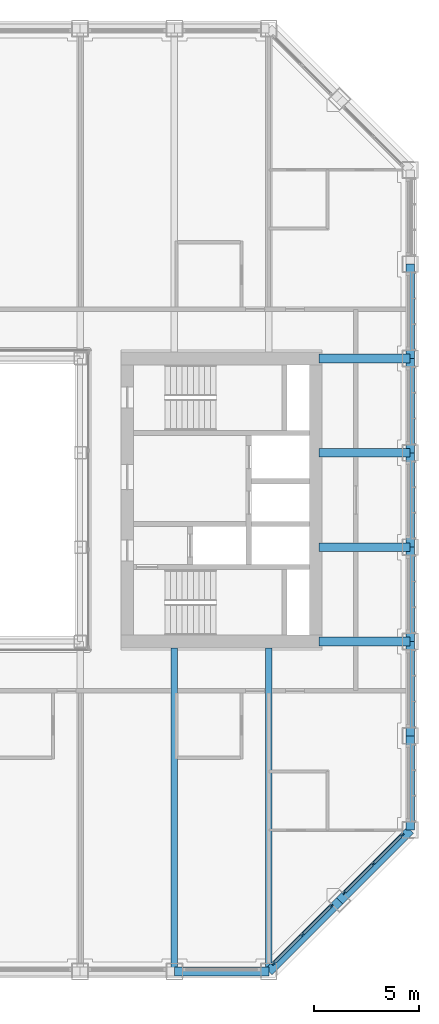
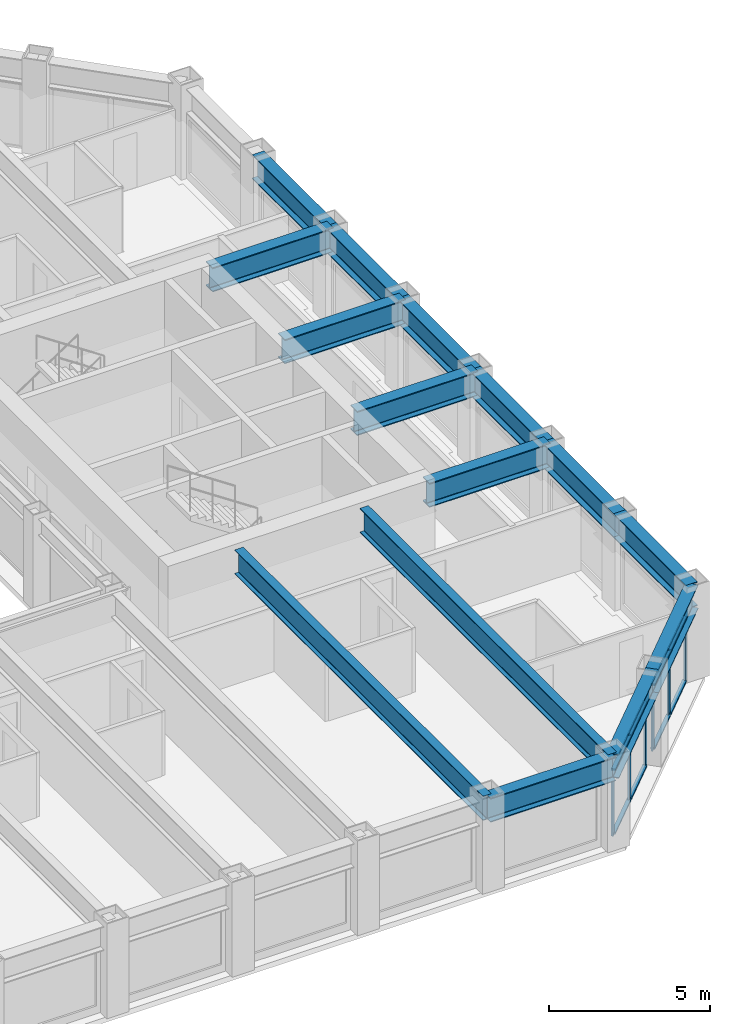
# One storey, part 6 of 17: 15 beams, 14 members, 2 elements without a shape of their own.
"""IFC4 building model written with IfcOpenShell, lengths in metres."""

from ifc_helpers import new_model, si_unit, direction, frame, origin, origin_2d, place, context, subcontext, project, spatial, rectangle, i_section, extrude, material, material_profile, profile_set, type_object, element, aggregate, save


model = new_model("IFC4")

# Units and contexts
model_context = context("Model", 3, precision=1e-05, world=origin(), true_north=direction((0.0, 1.0)))
body_context = subcontext(model_context, "Body", "Model", "MODEL_VIEW")
ifc_project = project(units=[si_unit("LENGTHUNIT", "METRE"), si_unit("AREAUNIT", "SQUARE_METRE"), si_unit("VOLUMEUNIT", "CUBIC_METRE"), si_unit("PLANEANGLEUNIT", "RADIAN"), si_unit("MASSUNIT", "GRAM", prefix="KILO")], contexts=[model_context])

# Site, building, storey
site_placement = place(None, origin())
site = spatial("IfcSite", under=ifc_project, at=site_placement, CompositionType="ELEMENT")
building_placement = place(site_placement, origin())
building = spatial("IfcBuilding", under=site, at=building_placement, Name="Msasa Ring Tower", CompositionType="ELEMENT")
storey_placement = place(building_placement, frame((0.0, 0.0, 168.800048828125)))
storey = spatial("IfcBuildingStorey", under=building, at=storey_placement, Name="L44", CompositionType="ELEMENT", Elevation=168.800048828125)

# Curtain wall, members
ifc_material_1 = material(Name="Aluminium curtain wall with clear glass", Category="aluminium")
curtain_wall_type = type_object("IfcCurtainWallType", Name="CW-C CHAMFER CORNER CURTAIN WALL", PredefinedType="NOTDEFINED", material=ifc_material_1)
curtain_wall_1_placement = place(storey_placement, origin())
curtain_wall_1 = element("IfcCurtainWall", 1, at=curtain_wall_1_placement, inside=storey, type_object=curtain_wall_type, Name="Chamfer corner curtain wall SE L44", PredefinedType="NOTDEFINED")
ifc_material_2 = material(Name="Aluminium mullion", Category="aluminium")
ifc_material_profile_1 = material_profile(ifc_material_2, rectangle(XDim=0.06494140625, YDim=0.179931640625, at=origin_2d()), Name="AL 65x180")
ifc_profile_set_1 = profile_set([ifc_material_profile_1], Name="Aluminium mullion")
member_type_1 = type_object("IfcMemberType", Name="CW-C MULLION 65x180", PredefinedType="MULLION", material=ifc_profile_set_1)
member_1_placement = place(storey_placement, frame((15.98876953125, -22.119873046875, 0.0), z_axis=(0.0, 0.0, 1.0), x_axis=(-0.707106781187, 0.707106781187, 0.0)))
member_1 = element("IfcMember", 2, at=member_1_placement, type_object=member_type_1, Name="CW-C mullion 1", PredefinedType="MULLION", context=body_context, shape_type="SweptSolid", body=[
    extrude(rectangle(XDim=0.06494140625, YDim=0.179931640625, at=origin_2d()), origin(), (0.0, 0.0, 1.0), 2.47900390625),
])
member_2_placement = place(storey_placement, frame((17.36669921875, -20.74169921875, 0.0), z_axis=(0.0, 0.0, 1.0), x_axis=(-0.707106781187, 0.707106781187, 0.0)))
member_2 = element("IfcMember", 3, at=member_2_placement, type_object=member_type_1, Name="CW-C mullion 2", PredefinedType="MULLION", context=body_context, shape_type="SweptSolid", body=[
    extrude(rectangle(XDim=0.06494140625, YDim=0.179931640625, at=origin_2d()), origin(), (0.0, 0.0, 1.0), 2.47900390625),
])
member_3_placement = place(storey_placement, frame((18.744873046875, -19.36376953125, 0.0), z_axis=(0.0, 0.0, 1.0), x_axis=(-0.707106781187, 0.707106781187, 0.0)))
member_3 = element("IfcMember", 4, at=member_3_placement, type_object=member_type_1, Name="CW-C mullion 3", PredefinedType="MULLION", context=body_context, shape_type="SweptSolid", body=[
    extrude(rectangle(XDim=0.06494140625, YDim=0.179931640625, at=origin_2d()), origin(), (0.0, 0.0, 1.0), 2.47900390625),
])

curtain_wall_2_placement = place(storey_placement, origin())
curtain_wall_2 = element("IfcCurtainWall", 5, at=curtain_wall_2_placement, inside=storey, type_object=curtain_wall_type, Name="Chamfer corner curtain wall SE L44", PredefinedType="NOTDEFINED")
member_4_placement = place(storey_placement, frame((19.36376953125, -18.744873046875, 0.0), z_axis=(0.0, 0.0, 1.0), x_axis=(-0.707106781187, 0.707106781187, 0.0)))
member_4 = element("IfcMember", 6, at=member_4_placement, type_object=member_type_1, Name="CW-C mullion 1", PredefinedType="MULLION", context=body_context, shape_type="SweptSolid", body=[
    extrude(rectangle(XDim=0.06494140625, YDim=0.179931640625, at=origin_2d()), origin(), (0.0, 0.0, 1.0), 2.47900390625),
])
member_5_placement = place(storey_placement, frame((20.74169921875, -17.36669921875, 0.0), z_axis=(0.0, 0.0, 1.0), x_axis=(-0.707106781187, 0.707106781187, 0.0)))
member_5 = element("IfcMember", 7, at=member_5_placement, type_object=member_type_1, Name="CW-C mullion 2", PredefinedType="MULLION", context=body_context, shape_type="SweptSolid", body=[
    extrude(rectangle(XDim=0.06494140625, YDim=0.179931640625, at=origin_2d()), origin(), (0.0, 0.0, 1.0), 2.47900390625),
])
member_6_placement = place(storey_placement, frame((22.119873046875, -15.98876953125, 0.0), z_axis=(0.0, 0.0, 1.0), x_axis=(-0.707106781187, 0.707106781187, 0.0)))
member_6 = element("IfcMember", 8, at=member_6_placement, type_object=member_type_1, Name="CW-C mullion 3", PredefinedType="MULLION", context=body_context, shape_type="SweptSolid", body=[
    extrude(rectangle(XDim=0.06494140625, YDim=0.179931640625, at=origin_2d()), origin(), (0.0, 0.0, 1.0), 2.47900390625),
])

# Member
ifc_material_3 = material(Name="Aluminium transom", Category="aluminium")
ifc_material_profile_2 = material_profile(ifc_material_3, rectangle(XDim=0.139892578125, YDim=0.06494140625, at=origin_2d()), Name="AL 65x140")
ifc_profile_set_2 = profile_set([ifc_material_profile_2], Name="Aluminium transom")
member_type_2 = type_object("IfcMemberType", Name="CW-C TRANSOM 65x140", PredefinedType="USERDEFINED", material=ifc_profile_set_2)
member_7_placement = place(storey_placement, frame((16.01171875, -22.096923828125, 0.032470703125), z_axis=(0.707106781187, 0.707106781187, 0.0), x_axis=(-0.707106781187, 0.707106781187, 0.0)))
member_7 = element("IfcMember", 9, at=member_7_placement, type_object=member_type_2, Name="CW-C transom 1.1", ObjectType="TRANSOM", PredefinedType="USERDEFINED", context=body_context, shape_type="SweptSolid", body=[
    extrude(rectangle(XDim=0.139892578125, YDim=0.06494140625, at=origin_2d()), origin(), (0.0, 0.0, 1.0), 1.8837890625),
])

member_8_placement = place(storey_placement, frame((16.01171875, -22.096923828125, 2.446533203125), z_axis=(0.707106781187, 0.707106781187, 0.0), x_axis=(-0.707106781187, 0.707106781187, 0.0)))
member_8 = element("IfcMember", 10, at=member_8_placement, type_object=member_type_2, Name="CW-C transom 1.2", ObjectType="TRANSOM", PredefinedType="USERDEFINED", context=body_context, shape_type="SweptSolid", body=[
    extrude(rectangle(XDim=0.139892578125, YDim=0.06494140625, at=origin_2d()), origin(), (0.0, 0.0, 1.0), 1.8837890625),
])

member_9_placement = place(storey_placement, frame((17.389892578125, -20.71875, 0.032470703125), z_axis=(0.707106781187, 0.707106781187, 0.0), x_axis=(-0.707106781187, 0.707106781187, 0.0)))
member_9 = element("IfcMember", 11, at=member_9_placement, type_object=member_type_2, Name="CW-C transom 2.1", ObjectType="TRANSOM", PredefinedType="USERDEFINED", context=body_context, shape_type="SweptSolid", body=[
    extrude(rectangle(XDim=0.139892578125, YDim=0.06494140625, at=origin_2d()), origin(), (0.0, 0.0, 1.0), 1.8837890625),
])

member_10_placement = place(storey_placement, frame((17.389892578125, -20.71875, 2.446533203125), z_axis=(0.707106781187, 0.707106781187, 0.0), x_axis=(-0.707106781187, 0.707106781187, 0.0)))
member_10 = element("IfcMember", 12, at=member_10_placement, type_object=member_type_2, Name="CW-C transom 2.2", ObjectType="TRANSOM", PredefinedType="USERDEFINED", context=body_context, shape_type="SweptSolid", body=[
    extrude(rectangle(XDim=0.139892578125, YDim=0.06494140625, at=origin_2d()), origin(), (0.0, 0.0, 1.0), 1.8837890625),
])

aggregate(curtain_wall_1, [member_1, member_2, member_3, member_7, member_8, member_9, member_10])

member_11_placement = place(storey_placement, frame((19.38671875, -18.721923828125, 0.032470703125), z_axis=(0.707106781187, 0.707106781187, 0.0), x_axis=(-0.707106781187, 0.707106781187, 0.0)))
member_11 = element("IfcMember", 13, at=member_11_placement, type_object=member_type_2, Name="CW-C transom 1.1", ObjectType="TRANSOM", PredefinedType="USERDEFINED", context=body_context, shape_type="SweptSolid", body=[
    extrude(rectangle(XDim=0.139892578125, YDim=0.06494140625, at=origin_2d()), origin(), (0.0, 0.0, 1.0), 1.8837890625),
])

member_12_placement = place(storey_placement, frame((19.38671875, -18.721923828125, 2.446533203125), z_axis=(0.707106781187, 0.707106781187, 0.0), x_axis=(-0.707106781187, 0.707106781187, 0.0)))
member_12 = element("IfcMember", 14, at=member_12_placement, type_object=member_type_2, Name="CW-C transom 1.2", ObjectType="TRANSOM", PredefinedType="USERDEFINED", context=body_context, shape_type="SweptSolid", body=[
    extrude(rectangle(XDim=0.139892578125, YDim=0.06494140625, at=origin_2d()), origin(), (0.0, 0.0, 1.0), 1.8837890625),
])

member_13_placement = place(storey_placement, frame((20.764892578125, -17.34375, 0.032470703125), z_axis=(0.707106781187, 0.707106781187, 0.0), x_axis=(-0.707106781187, 0.707106781187, 0.0)))
member_13 = element("IfcMember", 15, at=member_13_placement, type_object=member_type_2, Name="CW-C transom 2.1", ObjectType="TRANSOM", PredefinedType="USERDEFINED", context=body_context, shape_type="SweptSolid", body=[
    extrude(rectangle(XDim=0.139892578125, YDim=0.06494140625, at=origin_2d()), origin(), (0.0, 0.0, 1.0), 1.8837890625),
])

member_14_placement = place(storey_placement, frame((20.764892578125, -17.34375, 2.446533203125), z_axis=(0.707106781187, 0.707106781187, 0.0), x_axis=(-0.707106781187, 0.707106781187, 0.0)))
member_14 = element("IfcMember", 16, at=member_14_placement, type_object=member_type_2, Name="CW-C transom 2.2", ObjectType="TRANSOM", PredefinedType="USERDEFINED", context=body_context, shape_type="SweptSolid", body=[
    extrude(rectangle(XDim=0.139892578125, YDim=0.06494140625, at=origin_2d()), origin(), (0.0, 0.0, 1.0), 1.8837890625),
])

aggregate(curtain_wall_2, [member_4, member_5, member_6, member_11, member_12, member_13, member_14])

# Beams
ifc_material_4 = material(Name="Steel S355", Category="steel")
ifc_material_profile_3 = material_profile(ifc_material_4, i_section(OverallWidth=0.42041015625, OverallDepth=0.9208984375, WebThickness=0.021484375, FlangeThickness=0.03662109375, FilletRadius=0.024169921875, at=origin_2d()), Name="UB 914x419x388")
ifc_profile_set_3 = profile_set([ifc_material_profile_3], Name="Steel S355")
beam_type_1 = type_object("IfcBeamType", Name="FB2 UB 914x419x388", PredefinedType="BEAM", material=ifc_profile_set_3)
for number, where, z_axis, x_axis, name in (
    (17, (22.5, -2.25, 2.939453125), (-1.0, 0.0, 0.0), (0.0, -1.0, 0.0), "Floor beam E -2.25 under L45"),
    (18, (22.5, 2.25, 2.939453125), (-1.0, 0.0, 0.0), (0.0, -1.0, 0.0), "Floor beam E +2.25 under L45"),
):
    element("IfcBeam", number, at=place(storey_placement, frame(where, z_axis=z_axis, x_axis=x_axis)), inside=storey, type_object=beam_type_1, Name=name, PredefinedType="BEAM", context=body_context, shape_type="SweptSolid", body=[
        extrude(i_section(OverallWidth=0.42041015625, OverallDepth=0.9208984375, WebThickness=0.021484375, FlangeThickness=0.03662109375, FilletRadius=0.024169921875, at=origin_2d()), origin(), (0.0, 0.0, 1.0), 4.35009765625),
    ])
ifc_material_5 = material(Name="Steel S355", Category="steel")
ifc_material_profile_4 = material_profile(ifc_material_5, i_section(OverallWidth=0.3076171875, OverallDepth=0.926513671875, WebThickness=0.01953125, FlangeThickness=0.031982421875, FilletRadius=0.01904296875, at=origin_2d()), Name="UB 914x305x289")
ifc_profile_set_4 = profile_set([ifc_material_profile_4], Name="Steel S355")
beam_type_2 = type_object("IfcBeamType", Name="FB3 UB 914x305x289", PredefinedType="BEAM", material=ifc_profile_set_4)
for number, where, z_axis, x_axis, name in (
    (19, (11.25, -22.5, 2.936767578125), (0.0, 1.0, 0.0), (-1.0, 0.0, 0.0), "Floor beam S+11.25 under L45"),
    (20, (15.75, -22.5, 2.936767578125), (0.0, 1.0, 0.0), (-1.0, 0.0, 0.0), "Floor beam S+15.75 under L45"),
):
    element("IfcBeam", number, at=place(storey_placement, frame(where, z_axis=z_axis, x_axis=x_axis)), inside=storey, type_object=beam_type_2, Name=name, PredefinedType="BEAM", context=body_context, shape_type="SweptSolid", body=[
        extrude(i_section(OverallWidth=0.3076171875, OverallDepth=0.926513671875, WebThickness=0.01953125, FlangeThickness=0.031982421875, FilletRadius=0.01904296875, at=origin_2d()), origin(), (0.0, 0.0, 1.0), 15.449951171875),
    ])
ifc_material_6 = material(Name="Steel S355", Category="steel")
ifc_material_profile_5 = material_profile(ifc_material_6, i_section(OverallWidth=0.42041015625, OverallDepth=0.9208984375, WebThickness=0.021484375, FlangeThickness=0.03662109375, FilletRadius=0.024169921875, at=origin_2d()), Name="UB 914x419x388")
ifc_profile_set_5 = profile_set([ifc_material_profile_5], Name="Steel S355")
beam_type_3 = type_object("IfcBeamType", Name="GB1 UB 914x419x388", PredefinedType="BEAM", material=ifc_profile_set_5)
for number, where, z_axis, x_axis, name in (
    (21, (18.14990234375, 6.75, 2.939453125), (1.0, 0.0, 0.0), (0.0, 1.0, 0.0), "Girder E +6.75 under L45"),
    (22, (18.14990234375, -6.75, 2.939453125), (1.0, 0.0, 0.0), (0.0, 1.0, 0.0), "Girder E -6.75 under L45"),
):
    element("IfcBeam", number, at=place(storey_placement, frame(where, z_axis=z_axis, x_axis=x_axis)), inside=storey, type_object=beam_type_3, Name=name, PredefinedType="BEAM", context=body_context, shape_type="SweptSolid", body=[
        extrude(i_section(OverallWidth=0.42041015625, OverallDepth=0.9208984375, WebThickness=0.021484375, FlangeThickness=0.03662109375, FilletRadius=0.024169921875, at=origin_2d()), origin(), (0.0, 0.0, 1.0), 4.35009765625),
    ])
ifc_material_7 = material(Name="Steel S355", Category="steel")
ifc_material_profile_6 = material_profile(ifc_material_7, i_section(OverallWidth=0.42041015625, OverallDepth=0.9208984375, WebThickness=0.021484375, FlangeThickness=0.03662109375, FilletRadius=0.024169921875, at=origin_2d()), Name="UB 914x419x388")
ifc_profile_set_6 = profile_set([ifc_material_profile_6], Name="Steel S355")
beam_type_4 = type_object("IfcBeamType", Name="SB1 UB 914x419x388", PredefinedType="SPANDREL", material=ifc_profile_set_6)
beam_placement = place(storey_placement, frame((11.25, -22.5, 2.939453125), z_axis=(1.0, 0.0, 0.0), x_axis=(0.0, 1.0, 0.0)))
element("IfcBeam", 23, at=beam_placement, inside=storey, type_object=beam_type_4, Name="Spandrel S+11.25 to S+15.75 under L45", PredefinedType="SPANDREL", context=body_context, shape_type="SweptSolid", body=[
    extrude(i_section(OverallWidth=0.42041015625, OverallDepth=0.9208984375, WebThickness=0.021484375, FlangeThickness=0.03662109375, FilletRadius=0.024169921875, at=origin_2d()), origin(), (0.0, 0.0, 1.0), 4.5),
])
for number, where, z_axis, x_axis, name in (
    (24, (15.75, -22.5, 2.939453125), (0.707106781187, 0.707106781187, 0.0), (-0.707106781187, 0.707106781187, 0.0), "Spandrel S+15.75 to SE under L45"),
    (25, (19.125, -19.125, 2.939453125), (0.707106781187, 0.707106781187, 0.0), (-0.707106781187, 0.707106781187, 0.0), "Spandrel SE to E-15.75 under L45"),
):
    element("IfcBeam", number, at=place(storey_placement, frame(where, z_axis=z_axis, x_axis=x_axis)), inside=storey, type_object=beam_type_4, Name=name, PredefinedType="SPANDREL", context=body_context, shape_type="SweptSolid", body=[
        extrude(i_section(OverallWidth=0.42041015625, OverallDepth=0.9208984375, WebThickness=0.021484375, FlangeThickness=0.03662109375, FilletRadius=0.024169921875, at=origin_2d()), origin(), (0.0, 0.0, 1.0), 4.77294921875),
    ])
for number, where, z_axis, x_axis, name in (
    (26, (22.5, -15.75, 2.939453125), (0.0, 1.0, 0.0), (-1.0, 0.0, 0.0), "Spandrel E-15.75 to E-11.25 under L45"),
    (27, (22.5, -11.25, 2.939453125), (0.0, 1.0, 0.0), (-1.0, 0.0, 0.0), "Spandrel E-11.25 to E-6.75 under L45"),
    (28, (22.5, -6.75, 2.939453125), (0.0, 1.0, 0.0), (-1.0, 0.0, 0.0), "Spandrel E-6.75 to E-2.25 under L45"),
    (29, (22.5, -2.25, 2.939453125), (0.0, 1.0, 0.0), (-1.0, 0.0, 0.0), "Spandrel E-2.25 to E+2.25 under L45"),
    (30, (22.5, 2.25, 2.939453125), (0.0, 1.0, 0.0), (-1.0, 0.0, 0.0), "Spandrel E+2.25 to E+6.75 under L45"),
    (31, (22.5, 6.75, 2.939453125), (0.0, 1.0, 0.0), (-1.0, 0.0, 0.0), "Spandrel E+6.75 to E+11.25 under L45"),
):
    element("IfcBeam", number, at=place(storey_placement, frame(where, z_axis=z_axis, x_axis=x_axis)), inside=storey, type_object=beam_type_4, Name=name, PredefinedType="SPANDREL", context=body_context, shape_type="SweptSolid", body=[
        extrude(i_section(OverallWidth=0.42041015625, OverallDepth=0.9208984375, WebThickness=0.021484375, FlangeThickness=0.03662109375, FilletRadius=0.024169921875, at=origin_2d()), origin(), (0.0, 0.0, 1.0), 4.5),
    ])

save(model, "model.ifc")
